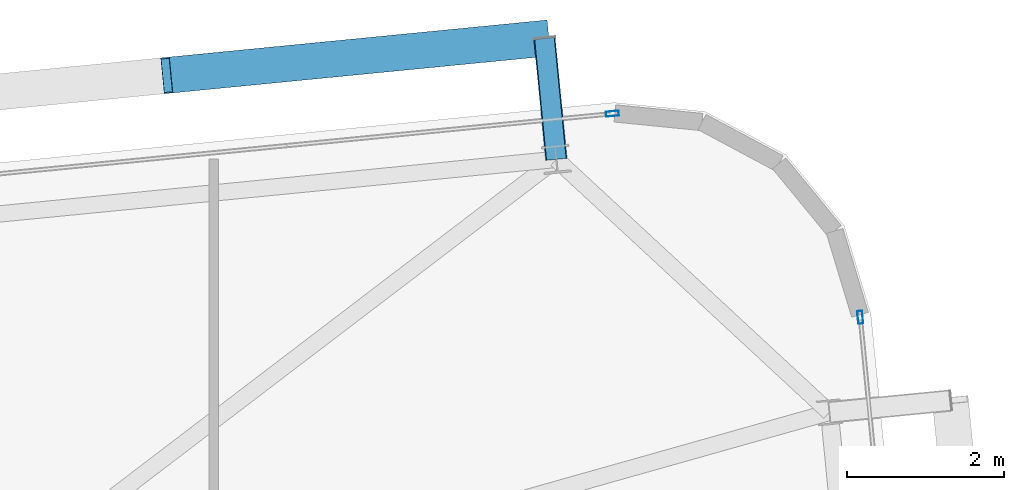
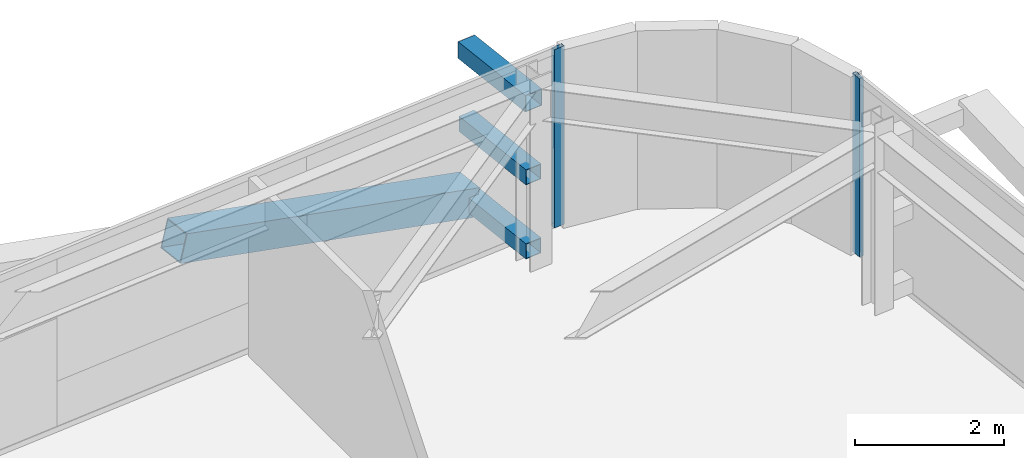
# One storey, part 31 of 47: 6 members, 2 elements without a shape of their own.
"""IFC4 building model written with IfcOpenShell, lengths in metres."""

from ifc_helpers import new_model, si_unit, direction, frame, origin, origin_2d, place, context, subcontext, project, spatial, hollow_rectangle, extrude, source, transform, mapped, material, layer, layer_set, material_profile, profile_set, type_object, element, aggregate, save


model = new_model("IFC4")

# Units and contexts
model_context = context("Model", 3, precision=1e-05, world=origin(), true_north=direction((0.0, 1.0)))
body_context = subcontext(model_context, "Body", "Model", "MODEL_VIEW")
ifc_project = project(units=[si_unit("LENGTHUNIT", "METRE"), si_unit("AREAUNIT", "SQUARE_METRE"), si_unit("VOLUMEUNIT", "CUBIC_METRE"), si_unit("PLANEANGLEUNIT", "RADIAN"), si_unit("MASSUNIT", "GRAM", prefix="KILO")], contexts=[model_context])

# Site, building, storey
site_placement = place(None, origin())
site = spatial("IfcSite", under=ifc_project, at=site_placement, CompositionType="ELEMENT")
building_placement = place(site_placement, origin())
building = spatial("IfcBuilding", under=site, at=building_placement, Name="Taldren Reach Tower", CompositionType="ELEMENT")
storey_placement = place(building_placement, frame((0.0, 0.0, 90.300048828125)))
storey = spatial("IfcBuildingStorey", under=building, at=storey_placement, Name="L27", CompositionType="ELEMENT", Elevation=90.300048828125)

# Members
ifc_material_1 = material(Name="Steel Gr 450 (C450L0)", Category="steel")
ifc_material_profile_1 = material_profile(ifc_material_1, hollow_rectangle(XDim=0.27490234375, YDim=0.27490234375, WallThickness=0.00927734375, at=origin_2d()), Name="275x275x9.3SHS")
ifc_profile_set_1 = profile_set([ifc_material_profile_1], Name="Steel Gr 450 (C450L0)")
member_type_1 = type_object("IfcMemberType", Name="MB-TIE273", PredefinedType="STRUT", material=ifc_profile_set_1)
shared_shape_1 = source(origin(), body_context, "Body", "SweptSolid", [
    extrude(hollow_rectangle(XDim=0.27490234375, YDim=0.27490234375, WallThickness=0.00927734375, at=origin_2d()), origin(), (0.0, 0.0, 1.0), 1.5498046875),
])
member_1_placement = place(storey_placement, frame((59.765869140625, 38.679931640625, 2.64990234375), z_axis=(-0.097663201064, 0.995219523099, 0.0), x_axis=(-0.995219523099, -0.097663201064, 0.0)))
element("IfcMember", 1, at=member_1_placement, inside=storey, type_object=member_type_1, Name="Exoskeleton diaphragm tie strut B2-N6 L27", PredefinedType="STRUT", context=body_context, shape_type="MappedRepresentation", body=[
    mapped(shared_shape_1, transform((0.0, 0.0, 0.0), scale=1.0)),
])
ifc_material_2 = material(Name="Steel Gr 350 (C350L0)", Category="steel")
ifc_material_profile_2 = material_profile(ifc_material_2, hollow_rectangle(XDim=0.25, YDim=0.25, WallThickness=0.010009765625, at=origin_2d()), Name="250x250x10.0SHS")
ifc_profile_set_2 = profile_set([ifc_material_profile_2], Name="Steel Gr 350 (C350L0)")
member_type_2 = type_object("IfcMemberType", Name="MB-POST250", PredefinedType="POST", material=ifc_profile_set_2)
shared_shape_2 = source(origin(), body_context, "Body", "SweptSolid", [
    extrude(hollow_rectangle(XDim=0.25, YDim=0.25, WallThickness=0.010009765625, at=origin_2d()), origin(), (0.0, 0.0, 1.0), 1.5498046875),
])
for number, where, z_axis, x_axis, name in (
    (2, (59.765869140625, 38.679931640625, 0.219970703125), (-0.097663201064, 0.995219523099, 0.0), (-0.995219523099, -0.097663201064, 0.0), "Exoskeleton base diaphragm tie strut B2-N6 L27"),
    (3, (59.765869140625, 38.679931640625, 1.43505859375), (-0.097663201064, 0.995219523099, 0.0), (-0.995219523099, -0.097663201064, 0.0), "Exoskeleton mid-tier diaphragm tie B2-N6 L27"),
):
    element("IfcMember", number, at=place(storey_placement, frame(where, z_axis=z_axis, x_axis=x_axis)), inside=storey, type_object=member_type_2, Name=name, PredefinedType="POST", context=body_context, shape_type="MappedRepresentation", body=[
        mapped(shared_shape_2, transform((0.0, 0.0, 0.0), scale=1.0)),
    ])
ifc_material_profile_3 = material_profile(ifc_material_1, hollow_rectangle(XDim=0.4599609375, YDim=0.4599609375, WallThickness=0.01611328125, at=origin_2d()), Name="460x460x16.0SHS")
ifc_profile_set_3 = profile_set([ifc_material_profile_3], Name="Steel Gr 450 (C450L0)")
member_type_3 = type_object("IfcMemberType", Name="MB-EXO457", PredefinedType="BRACE", material=ifc_profile_set_3)
shared_shape_3 = source(origin(), body_context, "Body", "SweptSolid", [
    extrude(hollow_rectangle(XDim=0.4599609375, YDim=0.4599609375, WallThickness=0.01611328125, at=origin_2d()), origin(), (0.0, 0.0, 1.0), 4.990234375),
])
member_2_placement = place(storey_placement, frame((59.614501953125, 40.222412109375, 0.219970703125), z_axis=(-0.965275526283, -0.094619506732, 0.243496010862), x_axis=(0.097555749586, -0.995230061706, 0.0)))
element("IfcMember", 4, at=member_2_placement, inside=storey, type_object=member_type_3, Name="Exoskeleton Diagrid Brace B2-N5 L27", PredefinedType="BRACE", context=body_context, shape_type="MappedRepresentation", body=[
    mapped(shared_shape_3, transform((0.0, 0.0, 0.0), scale=1.0)),
])

# Curtain wall, member
ifc_material_3 = material(Name="Aluminium and Low-E Glass Unitised System", Category="aluminium")
ifc_layer = layer(ifc_material_3, 0.159912109375)
ifc_layer_set = layer_set([ifc_layer], Name="Aluminium and Low-E Glass Unitised System")
curtain_wall_type = type_object("IfcCurtainWallType", Name="CW-SYS-3", PredefinedType="NOTDEFINED", material=ifc_layer_set)
curtain_wall_1_placement = place(storey_placement, origin())
curtain_wall_1 = element("IfcCurtainWall", 5, at=curtain_wall_1_placement, inside=storey, type_object=curtain_wall_type, Name="Unitised curtain wall CW-L27-N", PredefinedType="NOTDEFINED")
ifc_material_4 = material(Name="Anodised Aluminium 6063-T6", Category="aluminium")
ifc_material_profile_4 = material_profile(ifc_material_4, hollow_rectangle(XDim=0.06494140625, YDim=0.1650390625, WallThickness=0.00390625, at=origin_2d()), Name="ALU-165x65x4RHS")
ifc_profile_set_4 = profile_set([ifc_material_profile_4], Name="Anodised Aluminium 6063-T6")
member_type_4 = type_object("IfcMemberType", Name="CW-MUL-165", PredefinedType="MULLION", material=ifc_profile_set_4)
shared_shape_4 = source(origin(), body_context, "Body", "SweptSolid", [
    extrude(hollow_rectangle(XDim=0.06494140625, YDim=0.1650390625, WallThickness=0.00390625, at=origin_2d()), origin(), (0.0, 0.0, 1.0), 2.929931640625),
])
member_3_placement = place(storey_placement, frame((60.47998046875, 39.262451171875, 0.0), z_axis=(0.0, 0.0, 1.0), x_axis=(0.097582999046, -0.995227390247, 0.0)))
member_3 = element("IfcMember", 6, at=member_3_placement, type_object=member_type_4, Name="CW-3 mullion 1", PredefinedType="MULLION", context=body_context, shape_type="MappedRepresentation", body=[
    mapped(shared_shape_4, transform((0.0, 0.0, 0.0), scale=1.0)),
])
aggregate(curtain_wall_1, [member_3])

curtain_wall_2_placement = place(storey_placement, origin())
curtain_wall_2 = element("IfcCurtainWall", 7, at=curtain_wall_2_placement, inside=storey, type_object=curtain_wall_type, Name="Unitised curtain wall CW-L27-E", PredefinedType="NOTDEFINED")
member_4_placement = place(storey_placement, frame((63.640869140625, 36.666015625, 0.0), z_axis=(0.0, 0.0, 1.0), x_axis=(-0.99522741555, -0.09758274098, 0.0)))
member_4 = element("IfcMember", 8, at=member_4_placement, type_object=member_type_4, Name="CW-3 mullion 4", PredefinedType="MULLION", context=body_context, shape_type="MappedRepresentation", body=[
    mapped(shared_shape_4, transform((0.0, 0.0, 0.0), scale=1.0)),
])
aggregate(curtain_wall_2, [member_4])

save(model, "model.ifc")
